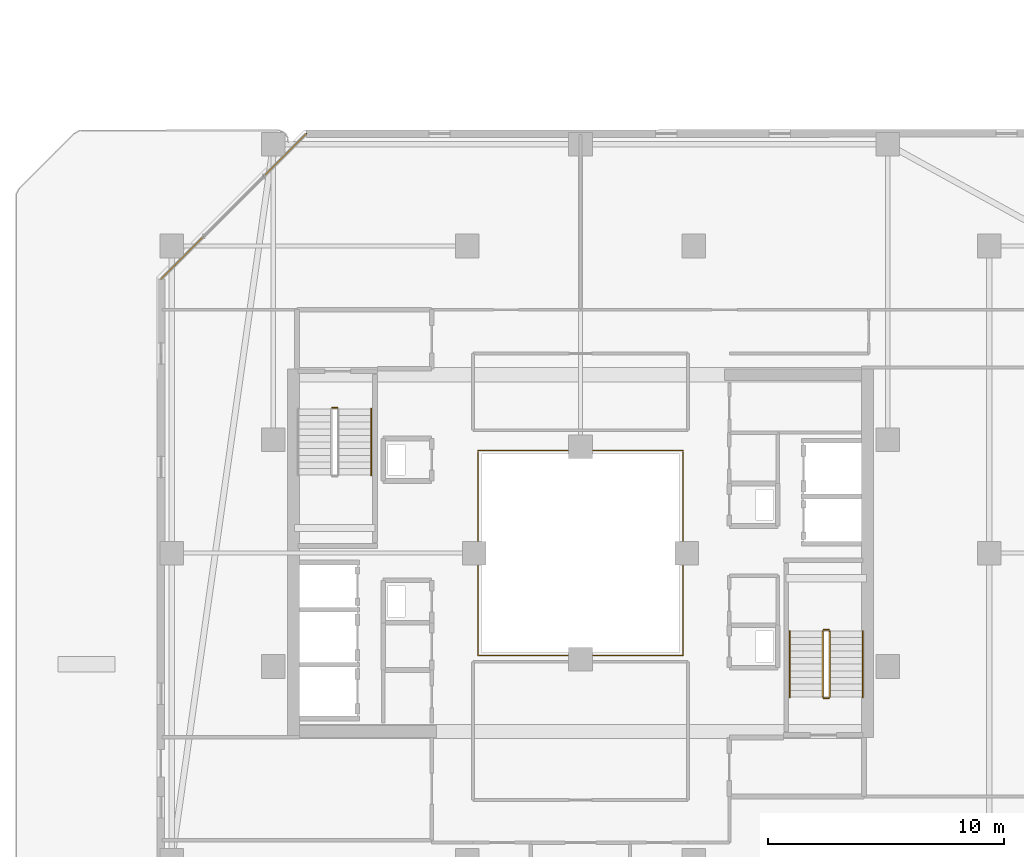
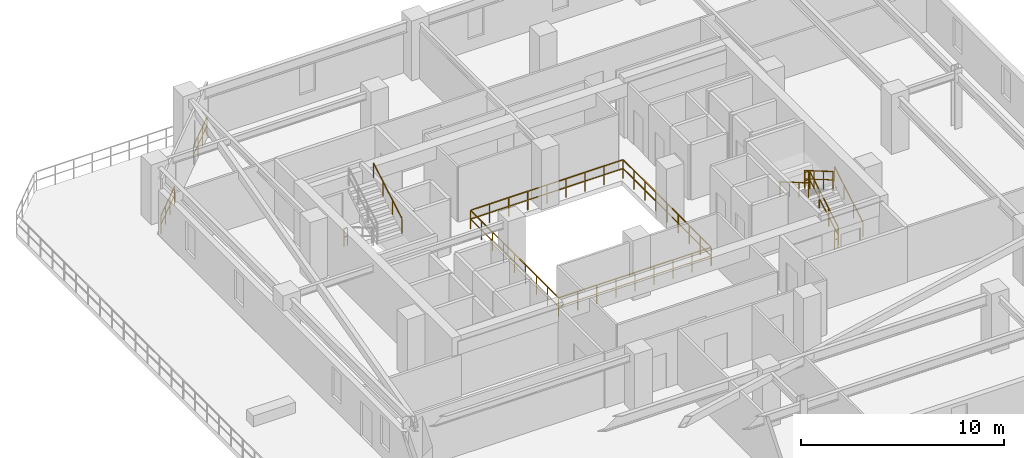
# One storey, part 29 of 29: 11 railings.
"""IFC4 building model written with IfcOpenShell, lengths in metres."""

from ifc_helpers import new_model, si_unit, direction, frame, origin, origin_2d, place, context, subcontext, project, spatial, rectangle, extrude, material, type_object, element, save


model = new_model("IFC4")

# Units and contexts
model_context = context("Model", 3, precision=1e-05, world=origin(), true_north=direction((0.0, 1.0)))
body_context = subcontext(model_context, "Body", "Model", "MODEL_VIEW")
ifc_project = project(units=[si_unit("LENGTHUNIT", "METRE"), si_unit("AREAUNIT", "SQUARE_METRE"), si_unit("VOLUMEUNIT", "CUBIC_METRE"), si_unit("PLANEANGLEUNIT", "RADIAN"), si_unit("MASSUNIT", "GRAM", prefix="KILO")], contexts=[model_context])

# Site, building, storey
site_placement = place(None, origin())
site = spatial("IfcSite", under=ifc_project, at=site_placement, CompositionType="ELEMENT")
building_placement = place(site_placement, origin())
building = spatial("IfcBuilding", under=site, at=building_placement, Name="Thornwick Lancets Civic Towers", CompositionType="ELEMENT")
storey_placement = place(building_placement, frame((0.0, 0.0, 229.5)))
storey = spatial("IfcBuildingStorey", under=building, at=storey_placement, Name="L61", CompositionType="ELEMENT", Elevation=229.5)

# Railings
ifc_material_1 = material(Name="Laminated glass and bronze steel S355", Category="steel")
railing_type_1 = type_object("IfcRailingType", Name="RAIL_ATRIUM_GUARD", PredefinedType="BALUSTRADE", material=ifc_material_1)
railing_1_placement = place(storey_placement, frame((84.159912109375, 22.659912109375, 0.0)))
element("IfcRailing", 1, at=railing_1_placement, inside=storey, type_object=railing_type_1, Name="L61 Tower B Central Atrium Guard Balustrade", PredefinedType="BALUSTRADE", context=body_context, shape_type="SweptSolid", body=[
    extrude(rectangle(XDim=0.048095703125, YDim=0.048095703125, at=origin_2d()), frame((0.0, 0.0, 1.1259765625), z_axis=(1.0, 0.0, 0.0), x_axis=(0.0, 1.0, 0.0)), (0.0, 0.0, 1.0), 8.64892578125),
    extrude(rectangle(XDim=0.0419921875, YDim=0.0419921875, at=origin_2d()), frame((0.03759765625, 0.0, 0.597900390625), z_axis=(1.0, 0.0, 0.0), x_axis=(0.0, 1.0, 0.0)), (0.0, 0.0, 1.0), 1.010009765625),
    extrude(rectangle(XDim=0.0419921875, YDim=0.0419921875, at=origin_2d()), frame((1.12255859375, 0.0, 0.597900390625), z_axis=(1.0, 0.0, 0.0), x_axis=(0.0, 1.0, 0.0)), (0.0, 0.0, 1.0), 1.010009765625),
    extrude(rectangle(XDim=0.0419921875, YDim=0.0419921875, at=origin_2d()), frame((2.20751953125, 0.0, 0.597900390625), z_axis=(1.0, 0.0, 0.0), x_axis=(0.0, 1.0, 0.0)), (0.0, 0.0, 1.0), 1.010009765625),
    extrude(rectangle(XDim=0.0419921875, YDim=0.0419921875, at=origin_2d()), frame((3.29248046875, 0.0, 0.597900390625), z_axis=(1.0, 0.0, 0.0), x_axis=(0.0, 1.0, 0.0)), (0.0, 0.0, 1.0), 1.010009765625),
    extrude(rectangle(XDim=0.0419921875, YDim=0.0419921875, at=origin_2d()), frame((4.377685546875, 0.0, 0.597900390625), z_axis=(1.0, 0.0, 0.0), x_axis=(0.0, 1.0, 0.0)), (0.0, 0.0, 1.0), 1.010009765625),
    extrude(rectangle(XDim=0.0419921875, YDim=0.0419921875, at=origin_2d()), frame((5.462646484375, 0.0, 0.597900390625), z_axis=(1.0, 0.0, 0.0), x_axis=(0.0, 1.0, 0.0)), (0.0, 0.0, 1.0), 1.010009765625),
    extrude(rectangle(XDim=0.0419921875, YDim=0.0419921875, at=origin_2d()), frame((6.547607421875, 0.0, 0.597900390625), z_axis=(1.0, 0.0, 0.0), x_axis=(0.0, 1.0, 0.0)), (0.0, 0.0, 1.0), 1.010009765625),
    extrude(rectangle(XDim=0.0419921875, YDim=0.0419921875, at=origin_2d()), frame((7.632568359375, 0.0, 0.597900390625), z_axis=(1.0, 0.0, 0.0), x_axis=(0.0, 1.0, 0.0)), (0.0, 0.0, 1.0), 1.010009765625),
    extrude(rectangle(XDim=0.048095703125, YDim=0.048095703125, at=origin_2d()), frame((8.68017578125, 0.03125, 1.1259765625), z_axis=(0.0, 1.0, 0.0), x_axis=(-1.0, 0.0, 0.0)), (0.0, 0.0, 1.0), 8.61767578125),
    extrude(rectangle(XDim=0.0419921875, YDim=0.0419921875, at=origin_2d()), frame((8.68017578125, 0.03759765625, 0.597900390625), z_axis=(0.0, 1.0, 0.0), x_axis=(-1.0, 0.0, 0.0)), (0.0, 0.0, 1.0), 1.010009765625),
    extrude(rectangle(XDim=0.0419921875, YDim=0.0419921875, at=origin_2d()), frame((8.68017578125, 1.12255859375, 0.597900390625), z_axis=(0.0, 1.0, 0.0), x_axis=(-1.0, 0.0, 0.0)), (0.0, 0.0, 1.0), 1.010009765625),
    extrude(rectangle(XDim=0.0419921875, YDim=0.0419921875, at=origin_2d()), frame((8.68017578125, 2.20751953125, 0.597900390625), z_axis=(0.0, 1.0, 0.0), x_axis=(-1.0, 0.0, 0.0)), (0.0, 0.0, 1.0), 1.010009765625),
    extrude(rectangle(XDim=0.0419921875, YDim=0.0419921875, at=origin_2d()), frame((8.68017578125, 3.29248046875, 0.597900390625), z_axis=(0.0, 1.0, 0.0), x_axis=(-1.0, 0.0, 0.0)), (0.0, 0.0, 1.0), 1.010009765625),
    extrude(rectangle(XDim=0.0419921875, YDim=0.0419921875, at=origin_2d()), frame((8.68017578125, 4.377685546875, 0.597900390625), z_axis=(0.0, 1.0, 0.0), x_axis=(-1.0, 0.0, 0.0)), (0.0, 0.0, 1.0), 1.010009765625),
    extrude(rectangle(XDim=0.0419921875, YDim=0.0419921875, at=origin_2d()), frame((8.68017578125, 5.462646484375, 0.597900390625), z_axis=(0.0, 1.0, 0.0), x_axis=(-1.0, 0.0, 0.0)), (0.0, 0.0, 1.0), 1.010009765625),
    extrude(rectangle(XDim=0.0419921875, YDim=0.0419921875, at=origin_2d()), frame((8.68017578125, 6.547607421875, 0.597900390625), z_axis=(0.0, 1.0, 0.0), x_axis=(-1.0, 0.0, 0.0)), (0.0, 0.0, 1.0), 1.010009765625),
    extrude(rectangle(XDim=0.0419921875, YDim=0.0419921875, at=origin_2d()), frame((8.68017578125, 7.632568359375, 0.597900390625), z_axis=(0.0, 1.0, 0.0), x_axis=(-1.0, 0.0, 0.0)), (0.0, 0.0, 1.0), 1.010009765625),
    extrude(rectangle(XDim=0.048095703125, YDim=0.048095703125, at=origin_2d()), frame((8.64892578125, 8.68017578125, 1.1259765625), z_axis=(-1.0, 0.0, 0.0), x_axis=(0.0, -1.0, 0.0)), (0.0, 0.0, 1.0), 8.61767578125),
    extrude(rectangle(XDim=0.0419921875, YDim=0.0419921875, at=origin_2d()), frame((8.642578125, 8.68017578125, 0.597900390625), z_axis=(-1.0, 0.0, 0.0), x_axis=(0.0, -1.0, 0.0)), (0.0, 0.0, 1.0), 1.010009765625),
    extrude(rectangle(XDim=0.0419921875, YDim=0.0419921875, at=origin_2d()), frame((7.5576171875, 8.68017578125, 0.597900390625), z_axis=(-1.0, 0.0, 0.0), x_axis=(0.0, -1.0, 0.0)), (0.0, 0.0, 1.0), 1.010009765625),
    extrude(rectangle(XDim=0.0419921875, YDim=0.0419921875, at=origin_2d()), frame((6.47265625, 8.68017578125, 0.597900390625), z_axis=(-1.0, 0.0, 0.0), x_axis=(0.0, -1.0, 0.0)), (0.0, 0.0, 1.0), 1.010009765625),
    extrude(rectangle(XDim=0.0419921875, YDim=0.0419921875, at=origin_2d()), frame((5.3876953125, 8.68017578125, 0.597900390625), z_axis=(-1.0, 0.0, 0.0), x_axis=(0.0, -1.0, 0.0)), (0.0, 0.0, 1.0), 1.010009765625),
    extrude(rectangle(XDim=0.0419921875, YDim=0.0419921875, at=origin_2d()), frame((4.302490234375, 8.68017578125, 0.597900390625), z_axis=(-1.0, 0.0, 0.0), x_axis=(0.0, -1.0, 0.0)), (0.0, 0.0, 1.0), 1.010009765625),
    extrude(rectangle(XDim=0.0419921875, YDim=0.0419921875, at=origin_2d()), frame((3.217529296875, 8.68017578125, 0.597900390625), z_axis=(-1.0, 0.0, 0.0), x_axis=(0.0, -1.0, 0.0)), (0.0, 0.0, 1.0), 1.010009765625),
    extrude(rectangle(XDim=0.0419921875, YDim=0.0419921875, at=origin_2d()), frame((2.132568359375, 8.68017578125, 0.597900390625), z_axis=(-1.0, 0.0, 0.0), x_axis=(0.0, -1.0, 0.0)), (0.0, 0.0, 1.0), 1.010009765625),
    extrude(rectangle(XDim=0.0419921875, YDim=0.0419921875, at=origin_2d()), frame((1.047607421875, 8.68017578125, 0.597900390625), z_axis=(-1.0, 0.0, 0.0), x_axis=(0.0, -1.0, 0.0)), (0.0, 0.0, 1.0), 1.010009765625),
    extrude(rectangle(XDim=0.048095703125, YDim=0.048095703125, at=origin_2d()), frame((0.0, 8.64892578125, 1.1259765625), z_axis=(0.0, -1.0, 0.0), x_axis=(1.0, 0.0, 0.0)), (0.0, 0.0, 1.0), 8.64892578125),
    extrude(rectangle(XDim=0.0419921875, YDim=0.0419921875, at=origin_2d()), frame((0.0, 8.642578125, 0.597900390625), z_axis=(0.0, -1.0, 0.0), x_axis=(1.0, 0.0, 0.0)), (0.0, 0.0, 1.0), 1.010009765625),
    extrude(rectangle(XDim=0.0419921875, YDim=0.0419921875, at=origin_2d()), frame((0.0, 7.5576171875, 0.597900390625), z_axis=(0.0, -1.0, 0.0), x_axis=(1.0, 0.0, 0.0)), (0.0, 0.0, 1.0), 1.010009765625),
    extrude(rectangle(XDim=0.0419921875, YDim=0.0419921875, at=origin_2d()), frame((0.0, 6.47265625, 0.597900390625), z_axis=(0.0, -1.0, 0.0), x_axis=(1.0, 0.0, 0.0)), (0.0, 0.0, 1.0), 1.010009765625),
    extrude(rectangle(XDim=0.0419921875, YDim=0.0419921875, at=origin_2d()), frame((0.0, 5.3876953125, 0.597900390625), z_axis=(0.0, -1.0, 0.0), x_axis=(1.0, 0.0, 0.0)), (0.0, 0.0, 1.0), 1.010009765625),
    extrude(rectangle(XDim=0.0419921875, YDim=0.0419921875, at=origin_2d()), frame((0.0, 4.302490234375, 0.597900390625), z_axis=(0.0, -1.0, 0.0), x_axis=(1.0, 0.0, 0.0)), (0.0, 0.0, 1.0), 1.010009765625),
    extrude(rectangle(XDim=0.0419921875, YDim=0.0419921875, at=origin_2d()), frame((0.0, 3.217529296875, 0.597900390625), z_axis=(0.0, -1.0, 0.0), x_axis=(1.0, 0.0, 0.0)), (0.0, 0.0, 1.0), 1.010009765625),
    extrude(rectangle(XDim=0.0419921875, YDim=0.0419921875, at=origin_2d()), frame((0.0, 2.132568359375, 0.597900390625), z_axis=(0.0, -1.0, 0.0), x_axis=(1.0, 0.0, 0.0)), (0.0, 0.0, 1.0), 1.010009765625),
    extrude(rectangle(XDim=0.0419921875, YDim=0.0419921875, at=origin_2d()), frame((0.0, 1.047607421875, 0.597900390625), z_axis=(0.0, -1.0, 0.0), x_axis=(1.0, 0.0, 0.0)), (0.0, 0.0, 1.0), 1.010009765625),
    extrude(rectangle(XDim=0.0419921875, YDim=0.0419921875, at=origin_2d()), origin(), (0.0, 0.0, 1.0), 1.095703125),
    extrude(rectangle(XDim=0.0419921875, YDim=0.0419921875, at=origin_2d()), frame((1.0849609375, 0.0, 0.0)), (0.0, 0.0, 1.0), 1.095703125),
    extrude(rectangle(XDim=0.0419921875, YDim=0.0419921875, at=origin_2d()), frame((2.169921875, 0.0, 0.0)), (0.0, 0.0, 1.0), 1.095703125),
    extrude(rectangle(XDim=0.0419921875, YDim=0.0419921875, at=origin_2d()), frame((3.255126953125, 0.0, 0.0)), (0.0, 0.0, 1.0), 1.095703125),
    extrude(rectangle(XDim=0.0419921875, YDim=0.0419921875, at=origin_2d()), frame((4.340087890625, 0.0, 0.0)), (0.0, 0.0, 1.0), 1.095703125),
    extrude(rectangle(XDim=0.0419921875, YDim=0.0419921875, at=origin_2d()), frame((5.425048828125, 0.0, 0.0)), (0.0, 0.0, 1.0), 1.095703125),
    extrude(rectangle(XDim=0.0419921875, YDim=0.0419921875, at=origin_2d()), frame((6.51025390625, 0.0, 0.0)), (0.0, 0.0, 1.0), 1.095703125),
    extrude(rectangle(XDim=0.0419921875, YDim=0.0419921875, at=origin_2d()), frame((7.59521484375, 0.0, 0.0)), (0.0, 0.0, 1.0), 1.095703125),
    extrude(rectangle(XDim=0.0419921875, YDim=0.0419921875, at=origin_2d()), frame((8.68017578125, 0.0, 0.0)), (0.0, 0.0, 1.0), 1.095703125),
    extrude(rectangle(XDim=0.0419921875, YDim=0.0419921875, at=origin_2d()), frame((8.68017578125, 1.0849609375, 0.0)), (0.0, 0.0, 1.0), 1.095703125),
    extrude(rectangle(XDim=0.0419921875, YDim=0.0419921875, at=origin_2d()), frame((8.68017578125, 2.169921875, 0.0)), (0.0, 0.0, 1.0), 1.095703125),
    extrude(rectangle(XDim=0.0419921875, YDim=0.0419921875, at=origin_2d()), frame((8.68017578125, 3.255126953125, 0.0)), (0.0, 0.0, 1.0), 1.095703125),
    extrude(rectangle(XDim=0.0419921875, YDim=0.0419921875, at=origin_2d()), frame((8.68017578125, 4.340087890625, 0.0)), (0.0, 0.0, 1.0), 1.095703125),
    extrude(rectangle(XDim=0.0419921875, YDim=0.0419921875, at=origin_2d()), frame((8.68017578125, 5.425048828125, 0.0)), (0.0, 0.0, 1.0), 1.095703125),
    extrude(rectangle(XDim=0.0419921875, YDim=0.0419921875, at=origin_2d()), frame((8.68017578125, 6.51025390625, 0.0)), (0.0, 0.0, 1.0), 1.095703125),
    extrude(rectangle(XDim=0.0419921875, YDim=0.0419921875, at=origin_2d()), frame((8.68017578125, 7.59521484375, 0.0)), (0.0, 0.0, 1.0), 1.095703125),
    extrude(rectangle(XDim=0.0419921875, YDim=0.0419921875, at=origin_2d()), frame((8.68017578125, 8.68017578125, 0.0)), (0.0, 0.0, 1.0), 1.095703125),
    extrude(rectangle(XDim=0.0419921875, YDim=0.0419921875, at=origin_2d()), frame((7.59521484375, 8.68017578125, 0.0)), (0.0, 0.0, 1.0), 1.095703125),
    extrude(rectangle(XDim=0.0419921875, YDim=0.0419921875, at=origin_2d()), frame((6.51025390625, 8.68017578125, 0.0)), (0.0, 0.0, 1.0), 1.095703125),
    extrude(rectangle(XDim=0.0419921875, YDim=0.0419921875, at=origin_2d()), frame((5.425048828125, 8.68017578125, 0.0)), (0.0, 0.0, 1.0), 1.095703125),
    extrude(rectangle(XDim=0.0419921875, YDim=0.0419921875, at=origin_2d()), frame((4.340087890625, 8.68017578125, 0.0)), (0.0, 0.0, 1.0), 1.095703125),
    extrude(rectangle(XDim=0.0419921875, YDim=0.0419921875, at=origin_2d()), frame((3.255126953125, 8.68017578125, 0.0)), (0.0, 0.0, 1.0), 1.095703125),
    extrude(rectangle(XDim=0.0419921875, YDim=0.0419921875, at=origin_2d()), frame((2.169921875, 8.68017578125, 0.0)), (0.0, 0.0, 1.0), 1.095703125),
    extrude(rectangle(XDim=0.0419921875, YDim=0.0419921875, at=origin_2d()), frame((1.0849609375, 8.68017578125, 0.0)), (0.0, 0.0, 1.0), 1.095703125),
    extrude(rectangle(XDim=0.0419921875, YDim=0.0419921875, at=origin_2d()), frame((0.0, 8.68017578125, 0.0)), (0.0, 0.0, 1.0), 1.095703125),
    extrude(rectangle(XDim=0.0419921875, YDim=0.0419921875, at=origin_2d()), frame((0.0, 7.59521484375, 0.0)), (0.0, 0.0, 1.0), 1.095703125),
    extrude(rectangle(XDim=0.0419921875, YDim=0.0419921875, at=origin_2d()), frame((0.0, 6.51025390625, 0.0)), (0.0, 0.0, 1.0), 1.095703125),
    extrude(rectangle(XDim=0.0419921875, YDim=0.0419921875, at=origin_2d()), frame((0.0, 5.425048828125, 0.0)), (0.0, 0.0, 1.0), 1.095703125),
    extrude(rectangle(XDim=0.0419921875, YDim=0.0419921875, at=origin_2d()), frame((0.0, 4.340087890625, 0.0)), (0.0, 0.0, 1.0), 1.095703125),
    extrude(rectangle(XDim=0.0419921875, YDim=0.0419921875, at=origin_2d()), frame((0.0, 3.255126953125, 0.0)), (0.0, 0.0, 1.0), 1.095703125),
    extrude(rectangle(XDim=0.0419921875, YDim=0.0419921875, at=origin_2d()), frame((0.0, 2.169921875, 0.0)), (0.0, 0.0, 1.0), 1.095703125),
    extrude(rectangle(XDim=0.0419921875, YDim=0.0419921875, at=origin_2d()), frame((0.0, 1.0849609375, 0.0)), (0.0, 0.0, 1.0), 1.095703125),
])
ifc_material_2 = material(Name="Brushed stainless steel S355", Category="steel")
railing_type_2 = type_object("IfcRailingType", Name="RAIL_HANDRAIL", PredefinedType="HANDRAIL", material=ifc_material_2)
railing_2_placement = place(storey_placement, frame((100.449951171875, 20.89990234375, 0.16357421875)))
element("IfcRailing", 2, at=railing_2_placement, inside=storey, type_object=railing_type_2, Name="L61 ST-B1 stair handrail 1", PredefinedType="HANDRAIL", context=body_context, shape_type="SweptSolid", body=[
    extrude(rectangle(XDim=0.048095703125, YDim=0.048095703125, at=origin_2d()), frame((0.0, 0.0, 0.8857421875), z_axis=(0.0, 0.863360870873, 0.504586966384), x_axis=(-1.0, 0.0, 0.0)), (0.0, 0.0, 1.0), 3.2431640625),
    extrude(rectangle(XDim=0.0419921875, YDim=0.0419921875, at=origin_2d()), origin(), (0.0, 0.0, 1.0), 0.855712890625),
    extrude(rectangle(XDim=0.0419921875, YDim=0.0419921875, at=origin_2d()), frame((0.0, 0.933349609375, 0.54541015625)), (0.0, 0.0, 1.0), 0.855712890625),
    extrude(rectangle(XDim=0.0419921875, YDim=0.0419921875, at=origin_2d()), frame((0.0, 1.86669921875, 1.091064453125)), (0.0, 0.0, 1.0), 0.855712890625),
    extrude(rectangle(XDim=0.0419921875, YDim=0.0419921875, at=origin_2d()), frame((0.0, 2.800048828125, 1.636474609375)), (0.0, 0.0, 1.0), 0.855712890625),
])
railing_3_placement = place(storey_placement, frame((97.35009765625, 23.699951171875, 1.963623046875)))
element("IfcRailing", 3, at=railing_3_placement, inside=storey, type_object=railing_type_2, Name="L61 ST-B1 stair handrail 2", PredefinedType="HANDRAIL", context=body_context, shape_type="SweptSolid", body=[
    extrude(rectangle(XDim=0.048095703125, YDim=0.048095703125, at=origin_2d()), frame((0.0, 0.0, 0.8857421875), z_axis=(0.0, -0.863360870873, 0.504586966384), x_axis=(1.0, 0.0, 0.0)), (0.0, 0.0, 1.0), 3.2431640625),
    extrude(rectangle(XDim=0.0419921875, YDim=0.0419921875, at=origin_2d()), origin(), (0.0, 0.0, 1.0), 0.855712890625),
    extrude(rectangle(XDim=0.0419921875, YDim=0.0419921875, at=origin_2d()), frame((0.0, -0.933349609375, 0.54541015625)), (0.0, 0.0, 1.0), 0.855712890625),
    extrude(rectangle(XDim=0.0419921875, YDim=0.0419921875, at=origin_2d()), frame((0.0, -1.86669921875, 1.091064453125)), (0.0, 0.0, 1.0), 0.855712890625),
    extrude(rectangle(XDim=0.0419921875, YDim=0.0419921875, at=origin_2d()), frame((0.0, -2.800048828125, 1.636474609375)), (0.0, 0.0, 1.0), 0.855712890625),
])
railing_4_placement = place(storey_placement, frame((79.64990234375, 30.300048828125, 1.963623046875)))
element("IfcRailing", 4, at=railing_4_placement, inside=storey, type_object=railing_type_2, Name="L61 ST-B2 stair handrail 2", PredefinedType="HANDRAIL", context=body_context, shape_type="SweptSolid", body=[
    extrude(rectangle(XDim=0.048095703125, YDim=0.048095703125, at=origin_2d()), frame((0.0, 0.0, 0.8857421875), z_axis=(0.0, 0.863360870873, 0.504586966384), x_axis=(-1.0, 0.0, 0.0)), (0.0, 0.0, 1.0), 3.2431640625),
    extrude(rectangle(XDim=0.0419921875, YDim=0.0419921875, at=origin_2d()), origin(), (0.0, 0.0, 1.0), 0.855712890625),
    extrude(rectangle(XDim=0.0419921875, YDim=0.0419921875, at=origin_2d()), frame((0.0, 0.933349609375, 0.54541015625)), (0.0, 0.0, 1.0), 0.855712890625),
    extrude(rectangle(XDim=0.0419921875, YDim=0.0419921875, at=origin_2d()), frame((0.0, 1.86669921875, 1.091064453125)), (0.0, 0.0, 1.0), 0.855712890625),
    extrude(rectangle(XDim=0.0419921875, YDim=0.0419921875, at=origin_2d()), frame((0.0, 2.800048828125, 1.636474609375)), (0.0, 0.0, 1.0), 0.855712890625),
])
ifc_material_3 = material(Name="Steel S355JR", Category="steel")
railing_type_3 = type_object("IfcRailingType", Name="RAIL_STAIR_GUARD", PredefinedType="GUARDRAIL", material=ifc_material_3)
railing_5_placement = place(storey_placement, frame((99.050048828125, 20.89990234375, 0.16357421875)))
element("IfcRailing", 5, at=railing_5_placement, inside=storey, type_object=railing_type_3, Name="L61 ST-B1 stair guard 1", PredefinedType="GUARDRAIL", context=body_context, shape_type="SweptSolid", body=[
    extrude(rectangle(XDim=0.048095703125, YDim=0.048095703125, at=origin_2d()), frame((0.0, 0.0, 1.076171875), z_axis=(0.0, 0.863360870873, 0.504586966384), x_axis=(-1.0, 0.0, 0.0)), (0.0, 0.0, 1.0), 3.2431640625),
    extrude(rectangle(XDim=0.0419921875, YDim=0.0419921875, at=origin_2d()), frame((0.0, 0.032470703125, 0.591064453125), z_axis=(0.0, 0.863360870873, 0.504586966384), x_axis=(-1.0, 0.0, 0.0)), (0.0, 0.0, 1.0), 1.006103515625),
    extrude(rectangle(XDim=0.0419921875, YDim=0.0419921875, at=origin_2d()), frame((0.0, 0.9658203125, 1.136474609375), z_axis=(0.0, 0.863360870873, 0.504586966384), x_axis=(-1.0, 0.0, 0.0)), (0.0, 0.0, 1.0), 1.006103515625),
    extrude(rectangle(XDim=0.0419921875, YDim=0.0419921875, at=origin_2d()), frame((0.0, 1.899169921875, 1.681884765625), z_axis=(0.0, 0.863360870873, 0.504586966384), x_axis=(-1.0, 0.0, 0.0)), (0.0, 0.0, 1.0), 1.006103515625),
    extrude(rectangle(XDim=0.0419921875, YDim=0.0419921875, at=origin_2d()), origin(), (0.0, 0.0, 1.0), 1.0458984375),
    extrude(rectangle(XDim=0.0419921875, YDim=0.0419921875, at=origin_2d()), frame((0.0, 0.933349609375, 0.54541015625)), (0.0, 0.0, 1.0), 1.0458984375),
    extrude(rectangle(XDim=0.0419921875, YDim=0.0419921875, at=origin_2d()), frame((0.0, 1.86669921875, 1.091064453125)), (0.0, 0.0, 1.0), 1.0458984375),
    extrude(rectangle(XDim=0.0419921875, YDim=0.0419921875, at=origin_2d()), frame((0.0, 2.800048828125, 1.636474609375)), (0.0, 0.0, 1.0), 1.0458984375),
])
railing_6_placement = place(storey_placement, frame((99.0, 23.75, 1.800048828125)))
element("IfcRailing", 6, at=railing_6_placement, inside=storey, type_object=railing_type_3, Name="L61 ST-B1 stair guard 2", PredefinedType="GUARDRAIL", context=body_context, shape_type="SweptSolid", body=[
    extrude(rectangle(XDim=0.048095703125, YDim=0.048095703125, at=origin_2d()), frame((0.0, 0.0, 1.076171875), z_axis=(-1.0, 0.0, 0.0), x_axis=(0.0, -1.0, 0.0)), (0.0, 0.0, 1.0), 0.199951171875),
    extrude(rectangle(XDim=0.0419921875, YDim=0.0419921875, at=origin_2d()), frame((-0.03759765625, 0.0, 0.572021484375), z_axis=(-1.0, 0.0, 0.0), x_axis=(0.0, -1.0, 0.0)), (0.0, 0.0, 1.0), 0.125),
    extrude(rectangle(XDim=0.0419921875, YDim=0.0419921875, at=origin_2d()), origin(), (0.0, 0.0, 1.0), 1.0458984375),
    extrude(rectangle(XDim=0.0419921875, YDim=0.0419921875, at=origin_2d()), frame((-0.199951171875, 0.0, 0.0)), (0.0, 0.0, 1.0), 1.0458984375),
])
railing_7_placement = place(storey_placement, frame((98.75, 23.699951171875, 1.963623046875)))
element("IfcRailing", 7, at=railing_7_placement, inside=storey, type_object=railing_type_3, Name="L61 ST-B1 stair guard 3", PredefinedType="GUARDRAIL", context=body_context, shape_type="SweptSolid", body=[
    extrude(rectangle(XDim=0.048095703125, YDim=0.048095703125, at=origin_2d()), frame((0.0, 0.0, 1.076171875), z_axis=(0.0, -0.863360870873, 0.504586966384), x_axis=(1.0, 0.0, 0.0)), (0.0, 0.0, 1.0), 3.2431640625),
    extrude(rectangle(XDim=0.0419921875, YDim=0.0419921875, at=origin_2d()), frame((0.0, -0.032470703125, 0.591064453125), z_axis=(0.0, -0.863360870873, 0.504586966384), x_axis=(1.0, 0.0, 0.0)), (0.0, 0.0, 1.0), 1.006103515625),
    extrude(rectangle(XDim=0.0419921875, YDim=0.0419921875, at=origin_2d()), frame((0.0, -0.9658203125, 1.136474609375), z_axis=(0.0, -0.863360870873, 0.504586966384), x_axis=(1.0, 0.0, 0.0)), (0.0, 0.0, 1.0), 1.006103515625),
    extrude(rectangle(XDim=0.0419921875, YDim=0.0419921875, at=origin_2d()), frame((0.0, -1.899169921875, 1.681884765625), z_axis=(0.0, -0.863360870873, 0.504586966384), x_axis=(1.0, 0.0, 0.0)), (0.0, 0.0, 1.0), 1.006103515625),
    extrude(rectangle(XDim=0.0419921875, YDim=0.0419921875, at=origin_2d()), origin(), (0.0, 0.0, 1.0), 1.0458984375),
    extrude(rectangle(XDim=0.0419921875, YDim=0.0419921875, at=origin_2d()), frame((0.0, -0.933349609375, 0.54541015625)), (0.0, 0.0, 1.0), 1.0458984375),
    extrude(rectangle(XDim=0.0419921875, YDim=0.0419921875, at=origin_2d()), frame((0.0, -1.86669921875, 1.091064453125)), (0.0, 0.0, 1.0), 1.0458984375),
    extrude(rectangle(XDim=0.0419921875, YDim=0.0419921875, at=origin_2d()), frame((0.0, -2.800048828125, 1.636474609375)), (0.0, 0.0, 1.0), 1.0458984375),
])
railing_8_placement = place(storey_placement, frame((99.0, 20.85009765625, 0.0)))
element("IfcRailing", 8, at=railing_8_placement, inside=storey, type_object=railing_type_3, Name="L61 ST-B1 stair guard 4", PredefinedType="GUARDRAIL", context=body_context, shape_type="SweptSolid", body=[
    extrude(rectangle(XDim=0.048095703125, YDim=0.048095703125, at=origin_2d()), frame((0.0, 0.0, 1.076171875), z_axis=(-1.0, 0.0, 0.0), x_axis=(0.0, -1.0, 0.0)), (0.0, 0.0, 1.0), 0.199951171875),
    extrude(rectangle(XDim=0.0419921875, YDim=0.0419921875, at=origin_2d()), frame((-0.03759765625, 0.0, 0.572021484375), z_axis=(-1.0, 0.0, 0.0), x_axis=(0.0, -1.0, 0.0)), (0.0, 0.0, 1.0), 0.125),
    extrude(rectangle(XDim=0.0419921875, YDim=0.0419921875, at=origin_2d()), origin(), (0.0, 0.0, 1.0), 1.0458984375),
    extrude(rectangle(XDim=0.0419921875, YDim=0.0419921875, at=origin_2d()), frame((-0.199951171875, 0.0, 0.0)), (0.0, 0.0, 1.0), 1.0458984375),
])
railing_9_placement = place(storey_placement, frame((78.0, 33.14990234375, 0.0)))
element("IfcRailing", 9, at=railing_9_placement, inside=storey, type_object=railing_type_3, Name="L61 ST-B2 stair guard 4", PredefinedType="GUARDRAIL", context=body_context, shape_type="SweptSolid", body=[
    extrude(rectangle(XDim=0.048095703125, YDim=0.048095703125, at=origin_2d()), frame((0.0, 0.0, 1.076171875), z_axis=(1.0, 0.0, 0.0), x_axis=(0.0, 1.0, 0.0)), (0.0, 0.0, 1.0), 0.199951171875),
    extrude(rectangle(XDim=0.0419921875, YDim=0.0419921875, at=origin_2d()), frame((0.03759765625, 0.0, 0.572021484375), z_axis=(1.0, 0.0, 0.0), x_axis=(0.0, 1.0, 0.0)), (0.0, 0.0, 1.0), 0.125),
    extrude(rectangle(XDim=0.0419921875, YDim=0.0419921875, at=origin_2d()), origin(), (0.0, 0.0, 1.0), 1.0458984375),
    extrude(rectangle(XDim=0.0419921875, YDim=0.0419921875, at=origin_2d()), frame((0.199951171875, 0.0, 0.0)), (0.0, 0.0, 1.0), 1.0458984375),
])
ifc_material_4 = material(Name="Terracotta-capped laminated glass balustrade S355", Category="masonry")
railing_type_4 = type_object("IfcRailingType", Name="RAIL_TERR_GUARD", PredefinedType="GUARDRAIL", material=ifc_material_4)
for number, where, name in (
    (10, (76.903564453125, 44.752685546875, 0.0), "L61 Tower B Chamfer Spandrel Guard E5-1"),
    (11, (72.559326171875, 40.408447265625, 0.0), "L61 Tower B Chamfer Spandrel Guard E5-2"),
):
    element("IfcRailing", number, at=place(storey_placement, frame(where)), inside=storey, type_object=railing_type_4, Name=name, PredefinedType="GUARDRAIL", context=body_context, shape_type="SweptSolid", body=[
        extrude(rectangle(XDim=0.048095703125, YDim=0.048095703125, at=origin_2d()), frame((0.0, 0.0, 1.1259765625), z_axis=(-0.707106781187, -0.707106781187, 0.0), x_axis=(0.707106781187, -0.707106781187, 0.0)), (0.0, 0.0, 1.0), 2.5625),
        extrude(rectangle(XDim=0.0419921875, YDim=0.0419921875, at=origin_2d()), frame((-0.026611328125, -0.026611328125, 0.597900390625), z_axis=(-0.707106781187, -0.707106781187, 0.0), x_axis=(0.707106781187, -0.707106781187, 0.0)), (0.0, 0.0, 1.0), 0.779296875),
        extrude(rectangle(XDim=0.0419921875, YDim=0.0419921875, at=origin_2d()), frame((-0.630615234375, -0.630615234375, 0.597900390625), z_axis=(-0.707106781187, -0.707106781187, 0.0), x_axis=(0.707106781187, -0.707106781187, 0.0)), (0.0, 0.0, 1.0), 0.779296875),
        extrude(rectangle(XDim=0.0419921875, YDim=0.0419921875, at=origin_2d()), frame((-1.234619140625, -1.234619140625, 0.597900390625), z_axis=(-0.707106781187, -0.707106781187, 0.0), x_axis=(0.707106781187, -0.707106781187, 0.0)), (0.0, 0.0, 1.0), 0.779296875),
        extrude(rectangle(XDim=0.0419921875, YDim=0.0419921875, at=origin_2d()), origin(), (0.0, 0.0, 1.0), 1.095703125),
        extrude(rectangle(XDim=0.0419921875, YDim=0.0419921875, at=origin_2d()), frame((-0.60400390625, -0.60400390625, 0.0)), (0.0, 0.0, 1.0), 1.095703125),
        extrude(rectangle(XDim=0.0419921875, YDim=0.0419921875, at=origin_2d()), frame((-1.2080078125, -1.2080078125, 0.0)), (0.0, 0.0, 1.0), 1.095703125),
        extrude(rectangle(XDim=0.0419921875, YDim=0.0419921875, at=origin_2d()), frame((-1.81201171875, -1.81201171875, 0.0)), (0.0, 0.0, 1.0), 1.095703125),
    ])

save(model, "model.ifc")
